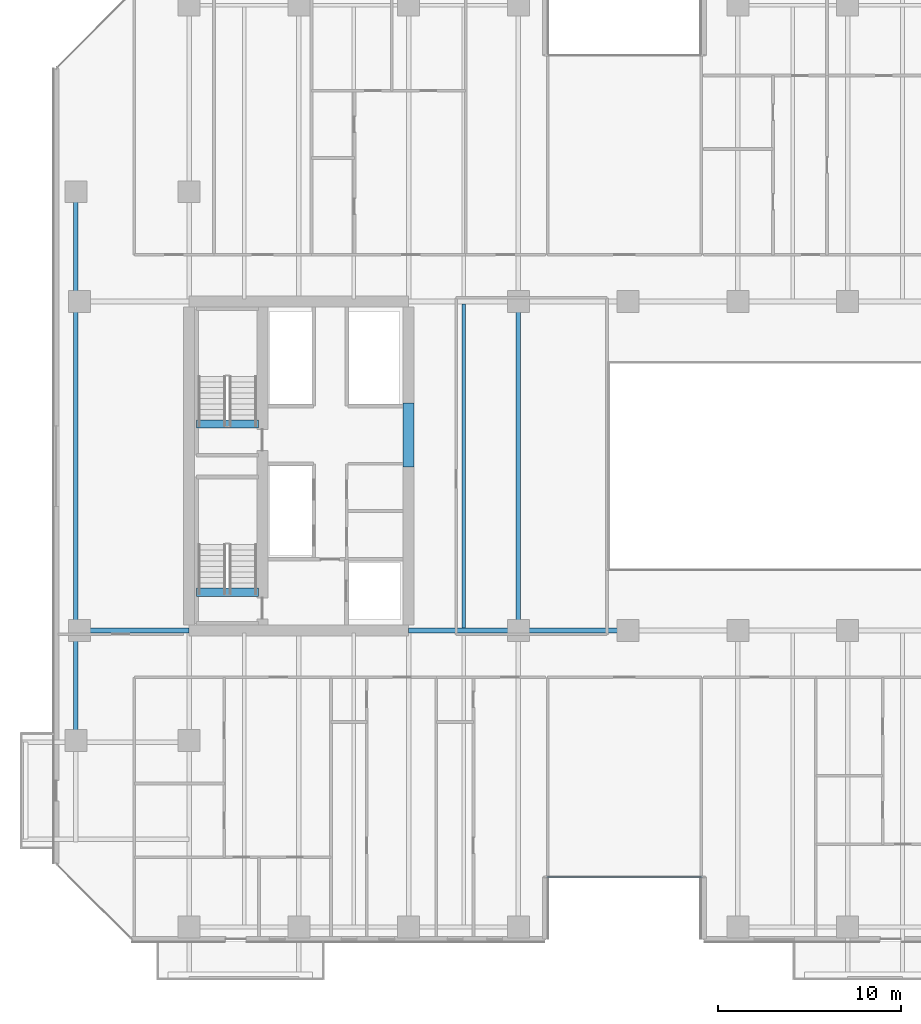
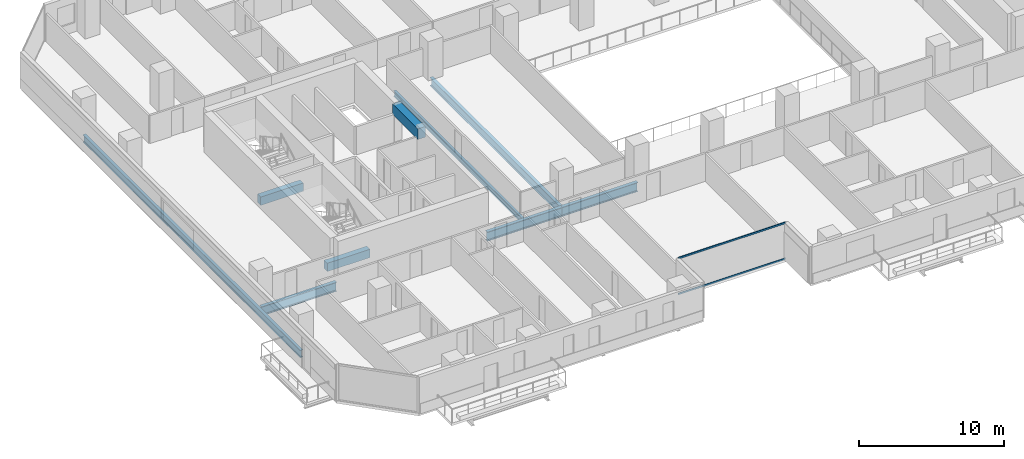
# One storey, part 5 of 33: 9 beams, 2 members, 1 element without a shape of its own.
"""IFC4 building model written with IfcOpenShell, lengths in metres."""

from ifc_helpers import new_model, si_unit, direction, frame, origin, origin_2d, place, context, subcontext, project, spatial, rectangle, hollow_rectangle, i_section, extrude, material, layer, layer_set, material_profile, profile_set, type_object, element, aggregate, save


model = new_model("IFC4")

# Units and contexts
model_context = context("Model", 3, precision=1e-05, world=origin(), true_north=direction((0.0, 1.0)))
body_context = subcontext(model_context, "Body", "Model", "MODEL_VIEW")
ifc_project = project(units=[si_unit("LENGTHUNIT", "METRE"), si_unit("AREAUNIT", "SQUARE_METRE"), si_unit("VOLUMEUNIT", "CUBIC_METRE"), si_unit("PLANEANGLEUNIT", "RADIAN"), si_unit("MASSUNIT", "GRAM", prefix="KILO")], contexts=[model_context])

# Site, building, storey
site_placement = place(None, origin())
site = spatial("IfcSite", under=ifc_project, at=site_placement, CompositionType="ELEMENT")
building_placement = place(site_placement, origin())
building = spatial("IfcBuilding", under=site, at=building_placement, Name="Tanjung Sevakor Pilgrim Tower", CompositionType="ELEMENT")
storey_placement = place(building_placement, frame((0.0, 0.0, 32.340087890625)))
storey = spatial("IfcBuildingStorey", under=building, at=storey_placement, Name="L08", CompositionType="ELEMENT", Elevation=32.340087890625)

# Beams
ifc_material_1 = material(Name="Steel S355J2", Category="steel")
ifc_material_profile_1 = material_profile(ifc_material_1, i_section(OverallWidth=0.26806640625, OverallDepth=0.769775390625, WebThickness=0.015625, FlangeThickness=0.025390625, FilletRadius=0.0166015625, at=origin_2d()))
ifc_profile_set_1 = profile_set([ifc_material_profile_1], Name="Steel S355J2")
beam_type_1 = type_object("IfcBeamType", Name="BM-B-G1-UB_762x267x197", PredefinedType="BEAM", material=ifc_profile_set_1)
for number, where, z_axis, x_axis, name in (
    (1, (18.0, 24.60009765625, -0.60498046875), (1.0, 0.0, 0.0), (0.0, 1.0, 0.0), "L08 Primary Floor Girder MAIN Y246-01"),
    (2, (36.0, 24.60009765625, -0.60498046875), (1.0, 0.0, 0.0), (0.0, 1.0, 0.0), "L08 Primary Floor Girder MAIN Y246-02"),
    (3, (42.0, 24.60009765625, -0.60498046875), (1.0, 0.0, 0.0), (0.0, 1.0, 0.0), "L08 Primary Floor Girder MAIN Y246-03"),
):
    element("IfcBeam", number, at=place(storey_placement, frame(where, z_axis=z_axis, x_axis=x_axis)), inside=storey, type_object=beam_type_1, Name=name, PredefinedType="BEAM", context=body_context, shape_type="SweptSolid", body=[
        extrude(i_section(OverallWidth=0.26806640625, OverallDepth=0.769775390625, WebThickness=0.015625, FlangeThickness=0.025390625, FilletRadius=0.0166015625, at=origin_2d()), origin(), (0.0, 0.0, 1.0), 6.0),
    ])
ifc_material_2 = material(Name="Steel S355J2", Category="steel")
ifc_material_profile_2 = material_profile(ifc_material_2, i_section(OverallWidth=0.25439453125, OverallDepth=0.6875, WebThickness=0.01318359375, FlangeThickness=0.02099609375, FilletRadius=0.01513671875, at=origin_2d()))
ifc_profile_set_2 = profile_set([ifc_material_profile_2], Name="Steel S355J2")
beam_type_2 = type_object("IfcBeamType", Name="BM-B-G2-UB_686x254x152", PredefinedType="BEAM", material=ifc_profile_set_2)
beam_1_placement = place(storey_placement, frame((42.0, 24.60009765625, -0.56396484375), z_axis=(0.0, 1.0, 0.0), x_axis=(-1.0, 0.0, 0.0)))
element("IfcBeam", 4, at=beam_1_placement, inside=storey, type_object=beam_type_2, Name="L08 MAIN Girder 011", PredefinedType="BEAM", context=body_context, shape_type="SweptSolid", body=[
    extrude(i_section(OverallWidth=0.25439453125, OverallDepth=0.6875, WebThickness=0.01318359375, FlangeThickness=0.02099609375, FilletRadius=0.01513671875, at=origin_2d()), origin(), (0.0, 0.0, 1.0), 18.0),
])
ifc_material_3 = material(Name="Steel S355J2", Category="steel")
ifc_material_profile_3 = material_profile(ifc_material_3, i_section(OverallWidth=0.22900390625, OverallDepth=0.6123046875, WebThickness=0.011962890625, FlangeThickness=0.01953125, FilletRadius=0.0126953125, at=origin_2d()))
ifc_profile_set_3 = profile_set([ifc_material_profile_3], Name="Steel S355J2")
beam_type_3 = type_object("IfcBeamType", Name="BM-B-G4-UB_610x229x125", PredefinedType="BEAM", material=ifc_profile_set_3)
beam_2_placement = place(storey_placement, frame((17.800048828125, 18.60009765625, -0.526123046875), z_axis=(0.0, 1.0, 0.0), x_axis=(-1.0, 0.0, 0.0)))
element("IfcBeam", 5, at=beam_2_placement, inside=storey, type_object=beam_type_3, Name="L08 Short-End Edge Girder W", PredefinedType="BEAM", context=body_context, shape_type="SweptSolid", body=[
    extrude(i_section(OverallWidth=0.22900390625, OverallDepth=0.6123046875, WebThickness=0.011962890625, FlangeThickness=0.01953125, FilletRadius=0.0126953125, at=origin_2d()), origin(), (0.0, 0.0, 1.0), 30.0),
])
ifc_material_4 = material(Name="Steel S355J2", Category="steel")
ifc_material_profile_4 = material_profile(ifc_material_4, i_section(OverallWidth=0.19140625, OverallDepth=0.4599609375, WebThickness=0.010009765625, FlangeThickness=0.01611328125, FilletRadius=0.01025390625, at=origin_2d()))
ifc_profile_set_4 = profile_set([ifc_material_profile_4], Name="Steel S355J2")
beam_type_4 = type_object("IfcBeamType", Name="BM-B-J2-UB_457x191x82", PredefinedType="JOIST", material=ifc_profile_set_4)
beam_3_placement = place(storey_placement, frame((39.0, 24.73388671875, -0.4501953125), z_axis=(0.0, 1.0, 0.0), x_axis=(-1.0, 0.0, 0.0)))
element("IfcBeam", 6, at=beam_3_placement, inside=storey, type_object=beam_type_4, Name="L08 MAIN Joist 008", PredefinedType="JOIST", context=body_context, shape_type="SweptSolid", body=[
    extrude(i_section(OverallWidth=0.19140625, OverallDepth=0.4599609375, WebThickness=0.010009765625, FlangeThickness=0.01611328125, FilletRadius=0.01025390625, at=origin_2d()), origin(), (0.0, 0.0, 1.0), 17.732177734375),
])
ifc_material_5 = material(Name="Concrete C60/75", Category="concrete")
ifc_material_profile_5 = material_profile(ifc_material_5, rectangle(XDim=0.60009765625, YDim=0.89990234375, at=origin_2d()))
ifc_profile_set_5 = profile_set([ifc_material_profile_5], Name="Concrete C60/75")
beam_type_5 = type_object("IfcBeamType", Name="BM-B-LN1-RC-BM_600x900", PredefinedType="LINTEL", material=ifc_profile_set_5)
beam_4_placement = place(storey_placement, frame((36.0, 33.550048828125, 2.6298828125), z_axis=(0.0, 1.0, 0.0), x_axis=(-1.0, 0.0, 0.0)))
element("IfcBeam", 7, at=beam_4_placement, inside=storey, type_object=beam_type_5, Name="L08 W Core Coupling Lintel", PredefinedType="LINTEL", context=body_context, shape_type="SweptSolid", body=[
    extrude(rectangle(XDim=0.60009765625, YDim=0.89990234375, at=origin_2d()), origin(), (0.0, 0.0, 1.0), 3.5),
])
ifc_material_6 = material(Name="Concrete C60/75", Category="concrete")
ifc_material_profile_6 = material_profile(ifc_material_6, rectangle(XDim=0.449951171875, YDim=0.699951171875, at=origin_2d()))
ifc_profile_set_6 = profile_set([ifc_material_profile_6], Name="Concrete C60/75")
beam_type_6 = type_object("IfcBeamType", Name="BM-B-LN3-RC-BM_450x700", PredefinedType="LINTEL", material=ifc_profile_set_6)
for number, where, z_axis, x_axis, name in (
    (8, (24.39990234375, 26.699951171875, -0.35009765625), (1.0, 0.0, 0.0), (0.0, 1.0, 0.0), "L08 TS-W1 Stair Threshold Beam"),
    (9, (24.39990234375, 35.89990234375, -0.35009765625), (1.0, 0.0, 0.0), (0.0, 1.0, 0.0), "L08 TS-W2 Stair Threshold Beam"),
):
    element("IfcBeam", number, at=place(storey_placement, frame(where, z_axis=z_axis, x_axis=x_axis)), inside=storey, type_object=beam_type_6, Name=name, PredefinedType="LINTEL", context=body_context, shape_type="SweptSolid", body=[
        extrude(rectangle(XDim=0.449951171875, YDim=0.699951171875, at=origin_2d()), origin(), (0.0, 0.0, 1.0), 3.400146484375),
    ])

# Curtain wall, members
ifc_material_7 = material(Name="Aluminium 6063-T6 and Low-E Glass", Category="aluminium")
ifc_layer = layer(ifc_material_7, 0.179931640625)
ifc_layer_set = layer_set([ifc_layer], Name="CW-SYS-CLEFT")
curtain_wall_type = type_object("IfcCurtainWallType", Name="CW-SYS-CLEFT", PredefinedType="NOTDEFINED", material=ifc_layer_set)
curtain_wall_placement = place(storey_placement, origin())
curtain_wall = element("IfcCurtainWall", 10, at=curtain_wall_placement, inside=storey, type_object=curtain_wall_type, Name="L08 Curtain Wall CW-CLF-L08-2", PredefinedType="NOTDEFINED")
ifc_material_8 = material(Name="Aluminium 6063-T6", Category="aluminium")
ifc_material_profile_7 = material_profile(ifc_material_8, hollow_rectangle(XDim=0.06494140625, YDim=0.139892578125, WallThickness=0.00390625, at=origin_2d()))
ifc_profile_set_7 = profile_set([ifc_material_profile_7], Name="Aluminium 6063-T6")
member_type = type_object("IfcMemberType", Name="TYPE-CWT-1", PredefinedType="USERDEFINED", material=ifc_profile_set_7)
member_1_placement = place(storey_placement, frame((43.534912109375, 11.139892578125, 0.032470703125), z_axis=(1.0, 0.0, 0.0), x_axis=(0.0, 1.0, 0.0)))
member_1 = element("IfcMember", 11, at=member_1_placement, type_object=member_type, Name="CW-CLF transom 1.1", ObjectType="TRANSOM", PredefinedType="USERDEFINED", context=body_context, shape_type="SweptSolid", body=[
    extrude(hollow_rectangle(XDim=0.06494140625, YDim=0.139892578125, WallThickness=0.00390625, at=origin_2d()), origin(), (0.0, 0.0, 1.0), 8.530029296875),
])
member_2_placement = place(storey_placement, frame((43.534912109375, 11.139892578125, 3.04736328125), z_axis=(1.0, 0.0, 0.0), x_axis=(0.0, 1.0, 0.0)))
member_2 = element("IfcMember", 12, at=member_2_placement, type_object=member_type, Name="CW-CLF transom 1.2", ObjectType="TRANSOM", PredefinedType="USERDEFINED", context=body_context, shape_type="SweptSolid", body=[
    extrude(hollow_rectangle(XDim=0.06494140625, YDim=0.139892578125, WallThickness=0.00390625, at=origin_2d()), origin(), (0.0, 0.0, 1.0), 8.530029296875),
])
aggregate(curtain_wall, [member_1, member_2])

save(model, "model.ifc")
